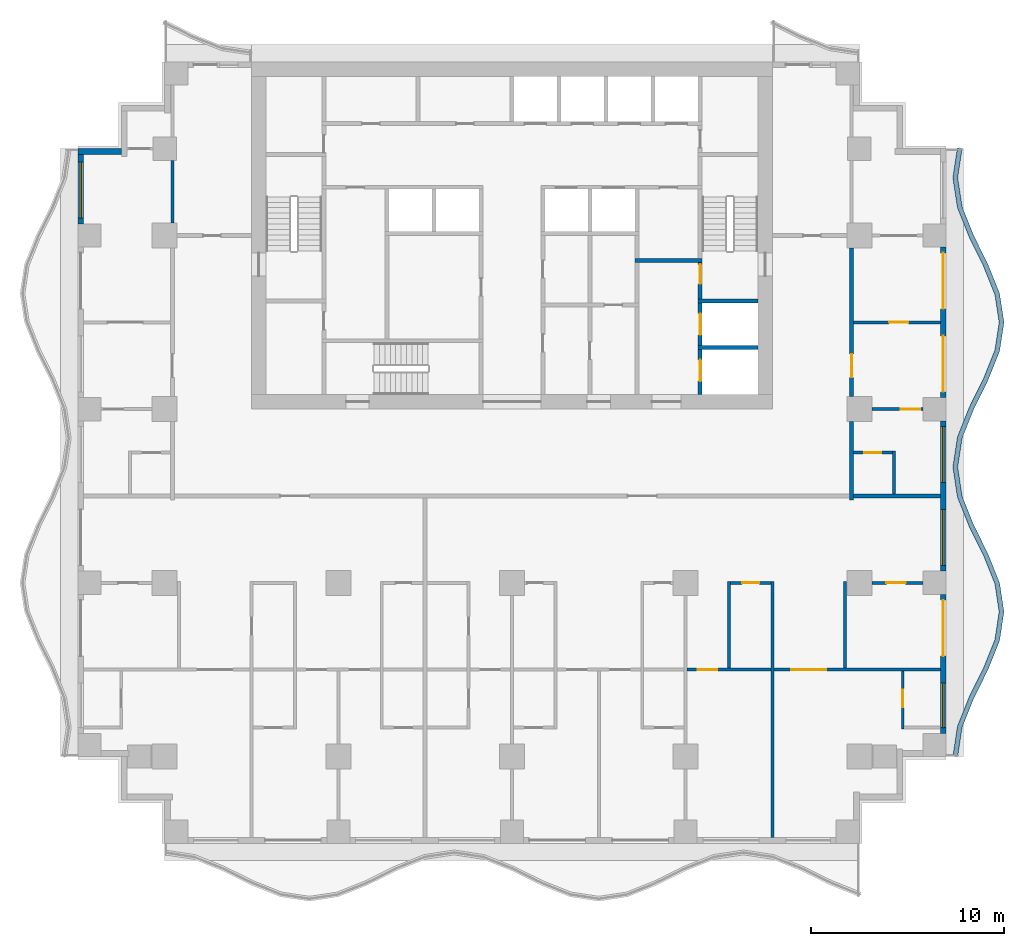
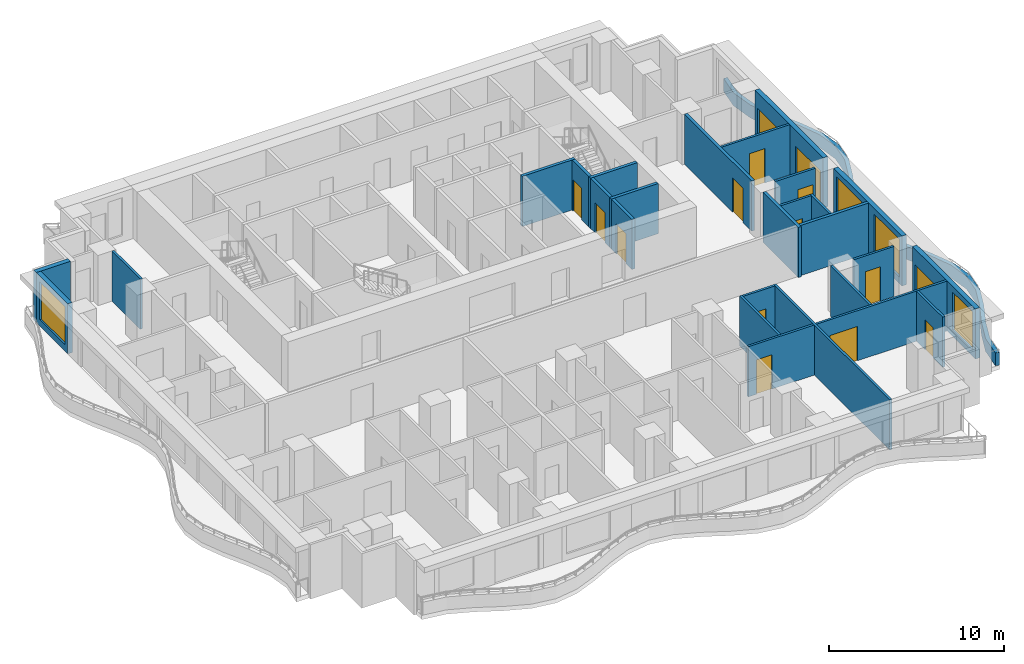
# One storey, part 4 of 10: 28 walls, 15 doors, 4 windows, 19 openings.
"""IFC4 building model written with IfcOpenShell, lengths in metres."""

from ifc_helpers import new_model, si_unit, direction, frame, frame_2d, origin, place, context, subcontext, project, spatial, polyline, rectangle, outline, extrude, material, layer, layer_set, type_object, element, fill, save


model = new_model("IFC4")

# Units and contexts
model_context = context("Model", 3, precision=1e-05, world=origin(), true_north=direction((0.0, 1.0)))
body_context = subcontext(model_context, "Body", "Model", "MODEL_VIEW")
ifc_project = project(units=[si_unit("LENGTHUNIT", "METRE"), si_unit("AREAUNIT", "SQUARE_METRE"), si_unit("VOLUMEUNIT", "CUBIC_METRE"), si_unit("PLANEANGLEUNIT", "RADIAN"), si_unit("MASSUNIT", "GRAM", prefix="KILO")], contexts=[model_context])

# Site, building, storey
site_placement = place(None, origin())
site = spatial("IfcSite", under=ifc_project, at=site_placement, CompositionType="ELEMENT")
building_placement = place(site_placement, origin())
building = spatial("IfcBuilding", under=site, at=building_placement, Name="Orbiselva Terraces", CompositionType="ELEMENT")
storey_placement = place(building_placement, frame((0.0, 0.0, 136.4)))
storey = spatial("IfcBuildingStorey", under=building, at=storey_placement, Name="L34", CompositionType="ELEMENT", Elevation=136.4)

# Wall
ifc_material_1 = material(Name="Concrete C60/75", Category="concrete")
ifc_layer_1 = layer(ifc_material_1, 0.2)
ifc_layer_set_1 = layer_set([ifc_layer_1], Name="Concrete C60/75")
wall_type_1 = type_object("IfcWallType", Name="CORE-WALL-SHEAR-200", PredefinedType="SHEAR", material=ifc_layer_set_1)
wall_1_placement = place(storey_placement, frame((6.375, 12.2, 0.0), z_axis=(0.0, 0.0, 1.0), x_axis=(1.0, 0.0, 0.0)))
element("IfcWall", 1, at=wall_1_placement, inside=storey, type_object=wall_type_1, Name="L34 core wall 34", PredefinedType="SHEAR", context=body_context, shape_type="SweptSolid", body=[
    extrude(rectangle(XDim=3.475, YDim=0.2, at=frame_2d((1.7375, 0.0))), origin(), (0.0, 0.0, 1.0), 3.5),
])

# Wall, opening, door
wall_2_placement = place(storey_placement, frame((9.75, 5.25, 0.0), z_axis=(0.0, 0.0, 1.0), x_axis=(0.0, 1.0, 0.0)))
wall_2 = element("IfcWall", 2, at=wall_2_placement, inside=storey, type_object=wall_type_1, Name="L34 core wall 38", PredefinedType="SHEAR", context=body_context, shape_type="SweptSolid", body=[
    extrude(rectangle(XDim=2.35, YDim=0.2, at=frame_2d((1.175, 0.0))), origin(), (0.0, 0.0, 1.0), 3.5),
])
opening_1_placement = place(wall_2_placement, frame((0.7, 0.0, 0.0)))
opening_1 = element("IfcOpeningElement", 3, at=opening_1_placement, cuts=wall_2, Name="Opening LD-FF1", PredefinedType="OPENING", context=body_context, shape_type="SweptSolid", body=[
    extrude(rectangle(XDim=1.1, YDim=2.1, at=frame_2d((0.55, 1.05))), frame((0.0, 0.11, 0.0), z_axis=(0.0, -1.0, 0.0), x_axis=(1.0, 0.0, 0.0)), (0.0, 0.0, 1.0), 0.22),
])
ifc_material_2 = material(Name="Stainless steel landing door", Category="steel")
door_type_1 = type_object("IfcDoorType", Name="LANDING DOOR 1100", OperationType="SLIDING_TO_LEFT", PredefinedType="DOOR", material=ifc_material_2)
door_1_placement = place(opening_1_placement, origin())
door_1 = element("IfcDoor", 4, at=door_1_placement, inside=storey, type_object=door_type_1, Name="L34 landing door FF1", OperationType="SLIDING_TO_RIGHT", OverallHeight=2.1, OverallWidth=1.1, PredefinedType="DOOR", context=body_context, shape_type="SweptSolid", body=[
    extrude(rectangle(XDim=1.1, YDim=2.1, at=frame_2d((0.55, 1.05))), frame((0.0, 0.025, 0.0), z_axis=(0.0, -1.0, 0.0), x_axis=(1.0, 0.0, 0.0)), (0.0, 0.0, 1.0), 0.05),
])
fill(opening_1, door_1)

# Wall
wall_3_placement = place(storey_placement, frame((9.65, 7.7, 0.0), z_axis=(0.0, 0.0, 1.0), x_axis=(1.0, 0.0, 0.0)))
element("IfcWall", 5, at=wall_3_placement, inside=storey, type_object=wall_type_1, Name="L34 core wall 39", PredefinedType="SHEAR", context=body_context, shape_type="SweptSolid", body=[
    extrude(rectangle(XDim=3.1, YDim=0.2, at=frame_2d((1.55, 0.0))), origin(), (0.0, 0.0, 1.0), 3.5),
])

# Wall, opening, door
wall_4_placement = place(storey_placement, frame((9.75, 7.8, 0.0), z_axis=(0.0, 0.0, 1.0), x_axis=(0.0, 1.0, 0.0)))
wall_4 = element("IfcWall", 6, at=wall_4_placement, inside=storey, type_object=wall_type_1, Name="L34 core wall 40", PredefinedType="SHEAR", context=body_context, shape_type="SweptSolid", body=[
    extrude(rectangle(XDim=2.2, YDim=0.2, at=frame_2d((1.1, 0.0))), origin(), (0.0, 0.0, 1.0), 3.5),
])
opening_2_placement = place(wall_4_placement, frame((0.55, 0.0, 0.0)))
opening_2 = element("IfcOpeningElement", 7, at=opening_2_placement, cuts=wall_4, Name="Opening LD-FF2", PredefinedType="OPENING", context=body_context, shape_type="SweptSolid", body=[
    extrude(rectangle(XDim=1.1, YDim=2.1, at=frame_2d((0.55, 1.05))), frame((0.0, 0.11, 0.0), z_axis=(0.0, -1.0, 0.0), x_axis=(1.0, 0.0, 0.0)), (0.0, 0.0, 1.0), 0.22),
])
door_2_placement = place(opening_2_placement, origin())
door_2 = element("IfcDoor", 8, at=door_2_placement, inside=storey, type_object=door_type_1, Name="L34 landing door FF2", OperationType="SLIDING_TO_RIGHT", OverallHeight=2.1, OverallWidth=1.1, PredefinedType="DOOR", context=body_context, shape_type="SweptSolid", body=[
    extrude(rectangle(XDim=1.1, YDim=2.1, at=frame_2d((0.55, 1.05))), frame((0.0, 0.025, 0.0), z_axis=(0.0, -1.0, 0.0), x_axis=(1.0, 0.0, 0.0)), (0.0, 0.0, 1.0), 0.05),
])
fill(opening_2, door_2)

# Wall
wall_5_placement = place(storey_placement, frame((9.65, 10.1, 0.0), z_axis=(0.0, 0.0, 1.0), x_axis=(1.0, 0.0, 0.0)))
element("IfcWall", 9, at=wall_5_placement, inside=storey, type_object=wall_type_1, Name="L34 core wall 41", PredefinedType="SHEAR", context=body_context, shape_type="SweptSolid", body=[
    extrude(rectangle(XDim=3.1, YDim=0.2, at=frame_2d((1.55, 0.0))), origin(), (0.0, 0.0, 1.0), 3.5),
])

# Wall, opening, door
wall_6_placement = place(storey_placement, frame((9.75, 12.1, 0.0), z_axis=(0.0, 0.0, 1.0), x_axis=(0.0, -1.0, 0.0)))
wall_6 = element("IfcWall", 10, at=wall_6_placement, inside=storey, type_object=wall_type_1, Name="L34 core wall 42", PredefinedType="SHEAR", context=body_context, shape_type="SweptSolid", body=[
    extrude(rectangle(XDim=1.9, YDim=0.2, at=frame_2d((0.95, 0.0))), origin(), (0.0, 0.0, 1.0), 3.5),
])
opening_3_placement = place(wall_6_placement, frame((0.1, 0.0, 0.0)))
opening_3 = element("IfcOpeningElement", 11, at=opening_3_placement, cuts=wall_6, Name="Opening DS1000", PredefinedType="OPENING", context=body_context, shape_type="SweptSolid", body=[
    extrude(rectangle(XDim=1.0, YDim=2.2, at=frame_2d((0.5, 1.1))), frame((0.0, 0.11, 0.0), z_axis=(0.0, -1.0, 0.0), x_axis=(1.0, 0.0, 0.0)), (0.0, 0.0, 1.0), 0.22),
])
ifc_material_3 = material(Name="Steel fire door", Category="steel")
door_type_2 = type_object("IfcDoorType", Name="STAIR DOOR 1000", OperationType="NOTDEFINED", PredefinedType="DOOR", material=ifc_material_3)
door_3_placement = place(opening_3_placement, origin())
door_3 = element("IfcDoor", 12, at=door_3_placement, inside=storey, type_object=door_type_2, Name="L34 FIRE-FIGHTING LOBBY TO EXIT STAIR S2 door", OperationType="SINGLE_SWING_LEFT", OverallHeight=2.2, OverallWidth=1.0, PredefinedType="DOOR", context=body_context, shape_type="SweptSolid", body=[
    extrude(rectangle(XDim=1.0, YDim=2.2, at=frame_2d((0.5, 1.1))), frame((0.0, 0.025, 0.0), z_axis=(0.0, -1.0, 0.0), x_axis=(1.0, 0.0, 0.0)), (0.0, 0.0, 1.0), 0.05),
])
fill(opening_3, door_3)

# Wall
ifc_material_4 = material(Name="Concrete C40/50", Category="concrete")
ifc_layer_2 = layer(ifc_material_4, 0.25)
ifc_layer_set_2 = layer_set([ifc_layer_2], Name="Concrete C40/50")
wall_type_2 = type_object("IfcWallType", Name="ENV-PLANTER-250x900", PredefinedType="USERDEFINED", material=ifc_layer_set_2)
wall_7_placement = place(storey_placement, origin())
element("IfcWall", 13, at=wall_7_placement, inside=storey, type_object=wall_type_2, Name="Balcony planter L34 E", ObjectType="PLANTER", PredefinedType="USERDEFINED", context=body_context, shape_type="SweptSolid", body=[
    extrude(outline(polyline([(23.1, -13.5), (23.32918, -12.0), (23.92918, -10.5), (24.67082, -9.0), (25.27082, -7.5), (25.5, -6.0), (25.27082, -4.5), (24.67082, -3.0), (23.92918, -1.5), (23.32918, 0.0), (23.1, 1.5), (23.32918, 3.0), (23.92918, 4.5), (24.67082, 6.0), (25.27082, 7.5), (25.5, 9.0), (25.27082, 10.5), (24.67082, 12.0), (23.92918, 13.5), (23.32918, 15.0), (23.1, 16.5), (23.32918, 18.0), (23.082048, 18.037758), (22.847099, 16.5), (23.086388, 14.933834), (23.700715, 13.398017), (24.442355, 11.898017), (25.028028, 10.433834), (25.247099, 9.0), (25.028028, 7.566166), (24.442355, 6.101983), (23.700715, 4.601983), (23.086388, 3.066166), (22.847099, 1.5), (23.086388, -0.066166), (23.700715, -1.601983), (24.442355, -3.101983), (25.028028, -4.566166), (25.247099, -6.0), (25.028028, -7.433834), (24.442355, -8.898017), (23.700715, -10.398017), (23.086388, -11.933834), (22.852868, -13.462242), (23.1, -13.5)])), origin(), (0.0, 0.0, 1.0), 0.9),
])

# Wall, openings, door, window
ifc_material_5 = material(Name="Terracotta cladding on masonry backing", Category="masonry")
ifc_layer_3 = layer(ifc_material_5, 0.3)
ifc_layer_set_3 = layer_set([ifc_layer_3], Name="Terracotta cladding on masonry backing")
wall_type_3 = type_object("IfcWallType", Name="ENV-WALL-TERRACOTTA-300", PredefinedType="SOLIDWALL", material=ifc_layer_set_3)
wall_8_placement = place(storey_placement, frame((22.35, -5.1, 0.0), z_axis=(0.0, 0.0, 1.0), x_axis=(0.0, -1.0, 0.0)))
wall_8 = element("IfcWall", 14, at=wall_8_placement, inside=storey, type_object=wall_type_3, Name="Facade wall L34 E", PredefinedType="SOLIDWALL", context=body_context, shape_type="SweptSolid", body=[
    extrude(rectangle(XDim=7.2, YDim=0.3, at=frame_2d((3.6, 0.0))), origin(), (0.0, 0.0, 1.0), 3.5),
])
opening_4_placement = place(wall_8_placement, frame((4.6, 0.0, 0.45)))
opening_4 = element("IfcOpeningElement", 15, at=opening_4_placement, cuts=wall_8, Name="Opening WN7", PredefinedType="OPENING", context=body_context, shape_type="SweptSolid", body=[
    extrude(rectangle(XDim=2.3, YDim=2.65, at=frame_2d((1.15, 1.325))), frame((0.0, 0.16, 0.0), z_axis=(0.0, -1.0, 0.0), x_axis=(1.0, 0.0, 0.0)), (0.0, 0.0, 1.0), 0.32),
])
opening_5_placement = place(wall_8_placement, frame((0.3, 0.0, 0.0)))
opening_5 = element("IfcOpeningElement", 16, at=opening_5_placement, cuts=wall_8, Name="Opening Z3-B-E04", PredefinedType="OPENING", context=body_context, shape_type="SweptSolid", body=[
    extrude(rectangle(XDim=2.9, YDim=2.4, at=frame_2d((1.45, 1.2))), frame((0.0, 0.16, 0.0), z_axis=(0.0, -1.0, 0.0), x_axis=(1.0, 0.0, 0.0)), (0.0, 0.0, 1.0), 0.32),
])
ifc_material_6 = material(Name="Clear low-e glazing in aluminium frame", Category="aluminium")
door_type_3 = type_object("IfcDoorType", Name="BALCONY DOOR 2900 X 2400", OperationType="DOUBLE_DOOR_SLIDING", PredefinedType="DOOR", material=ifc_material_6)
door_4_placement = place(opening_5_placement, origin())
door_4 = element("IfcDoor", 17, at=door_4_placement, inside=storey, type_object=door_type_3, Name="Z3-B-E04", OperationType="SINGLE_SWING_LEFT", OverallHeight=2.4, OverallWidth=2.9, PredefinedType="DOOR", context=body_context, shape_type="SweptSolid", body=[
    extrude(rectangle(XDim=2.9, YDim=2.4, at=frame_2d((1.45, 1.2))), frame((0.0, 0.025, 0.0), z_axis=(0.0, -1.0, 0.0), x_axis=(1.0, 0.0, 0.0)), (0.0, 0.0, 1.0), 0.05),
])
fill(opening_5, door_4)
window_type_1 = type_object("IfcWindowType", Name="WINDOW 2300 X 2650 S450", PartitioningType="TRIPLE_PANEL_VERTICAL", PredefinedType="WINDOW", material=ifc_material_6)
window_1_placement = place(opening_4_placement, origin())
window_1 = element("IfcWindow", 18, at=window_1_placement, inside=storey, type_object=window_type_1, Name="Window L34 E", OverallHeight=2.65, OverallWidth=2.3, PartitioningType="SINGLE_PANEL", PredefinedType="WINDOW", context=body_context, shape_type="SweptSolid", body=[
    extrude(rectangle(XDim=2.3, YDim=2.65, at=frame_2d((1.15, 1.325))), frame((0.0, 0.03, 0.0), z_axis=(0.0, -1.0, 0.0), x_axis=(1.0, 0.0, 0.0)), (0.0, 0.0, 1.0), 0.06),
])
fill(opening_4, window_1)

# Wall, openings, windows
wall_9_placement = place(storey_placement, frame((22.35, 3.9, 0.0), z_axis=(0.0, 0.0, 1.0), x_axis=(0.0, -1.0, 0.0)))
wall_9 = element("IfcWall", 19, at=wall_9_placement, inside=storey, type_object=wall_type_3, Name="Facade wall L34 E", PredefinedType="SOLIDWALL", context=body_context, shape_type="SweptSolid", body=[
    extrude(rectangle(XDim=7.8, YDim=0.3, at=frame_2d((3.9, 0.0))), origin(), (0.0, 0.0, 1.0), 3.5),
])
opening_6_placement = place(wall_9_placement, frame((4.6, 0.0, 0.45)))
opening_6 = element("IfcOpeningElement", 20, at=opening_6_placement, cuts=wall_9, Name="Opening WN8", PredefinedType="OPENING", context=body_context, shape_type="SweptSolid", body=[
    extrude(rectangle(XDim=2.9, YDim=2.65, at=frame_2d((1.45, 1.325))), frame((0.0, 0.16, 0.0), z_axis=(0.0, -1.0, 0.0), x_axis=(1.0, 0.0, 0.0)), (0.0, 0.0, 1.0), 0.32),
])
opening_7_placement = place(wall_9_placement, frame((0.3, 0.0, 0.45)))
opening_7 = element("IfcOpeningElement", 21, at=opening_7_placement, cuts=wall_9, Name="Opening WN8", PredefinedType="OPENING", context=body_context, shape_type="SweptSolid", body=[
    extrude(rectangle(XDim=2.9, YDim=2.65, at=frame_2d((1.45, 1.325))), frame((0.0, 0.16, 0.0), z_axis=(0.0, -1.0, 0.0), x_axis=(1.0, 0.0, 0.0)), (0.0, 0.0, 1.0), 0.32),
])
window_type_2 = type_object("IfcWindowType", Name="WINDOW 2900 X 2650 S450", PartitioningType="TRIPLE_PANEL_VERTICAL", PredefinedType="WINDOW", material=ifc_material_6)
window_2_placement = place(opening_6_placement, origin())
window_2 = element("IfcWindow", 22, at=window_2_placement, inside=storey, type_object=window_type_2, Name="Window L34 E", OverallHeight=2.65, OverallWidth=2.9, PartitioningType="SINGLE_PANEL", PredefinedType="WINDOW", context=body_context, shape_type="SweptSolid", body=[
    extrude(rectangle(XDim=2.9, YDim=2.65, at=frame_2d((1.45, 1.325))), frame((0.0, 0.03, 0.0), z_axis=(0.0, -1.0, 0.0), x_axis=(1.0, 0.0, 0.0)), (0.0, 0.0, 1.0), 0.06),
])
fill(opening_6, window_2)
window_3_placement = place(opening_7_placement, origin())
window_3 = element("IfcWindow", 23, at=window_3_placement, inside=storey, type_object=window_type_2, Name="Window L34 E", OverallHeight=2.65, OverallWidth=2.9, PartitioningType="SINGLE_PANEL", PredefinedType="WINDOW", context=body_context, shape_type="SweptSolid", body=[
    extrude(rectangle(XDim=2.9, YDim=2.65, at=frame_2d((1.45, 1.325))), frame((0.0, 0.03, 0.0), z_axis=(0.0, -1.0, 0.0), x_axis=(1.0, 0.0, 0.0)), (0.0, 0.0, 1.0), 0.06),
])
fill(opening_7, window_3)

# Wall, openings, doors
wall_10_placement = place(storey_placement, frame((22.35, 12.9, 0.0), z_axis=(0.0, 0.0, 1.0), x_axis=(0.0, -1.0, 0.0)))
wall_10 = element("IfcWall", 24, at=wall_10_placement, inside=storey, type_object=wall_type_3, Name="Facade wall L34 E", PredefinedType="SOLIDWALL", context=body_context, shape_type="SweptSolid", body=[
    extrude(rectangle(XDim=7.8, YDim=0.3, at=frame_2d((3.9, 0.0))), origin(), (0.0, 0.0, 1.0), 3.5),
])
opening_8_placement = place(wall_10_placement, frame((4.6, 0.0, 0.0)))
opening_8 = element("IfcOpeningElement", 25, at=opening_8_placement, cuts=wall_10, Name="Opening Z3-B-E05", PredefinedType="OPENING", context=body_context, shape_type="SweptSolid", body=[
    extrude(rectangle(XDim=2.9, YDim=2.4, at=frame_2d((1.45, 1.2))), frame((0.0, 0.16, 0.0), z_axis=(0.0, -1.0, 0.0), x_axis=(1.0, 0.0, 0.0)), (0.0, 0.0, 1.0), 0.32),
])
opening_9_placement = place(wall_10_placement, frame((0.3, 0.0, 0.0)))
opening_9 = element("IfcOpeningElement", 26, at=opening_9_placement, cuts=wall_10, Name="Opening Z3-B-E06", PredefinedType="OPENING", context=body_context, shape_type="SweptSolid", body=[
    extrude(rectangle(XDim=2.9, YDim=2.4, at=frame_2d((1.45, 1.2))), frame((0.0, 0.16, 0.0), z_axis=(0.0, -1.0, 0.0), x_axis=(1.0, 0.0, 0.0)), (0.0, 0.0, 1.0), 0.32),
])
door_5_placement = place(opening_8_placement, origin())
door_5 = element("IfcDoor", 27, at=door_5_placement, inside=storey, type_object=door_type_3, Name="Z3-B-E05", OperationType="SINGLE_SWING_LEFT", OverallHeight=2.4, OverallWidth=2.9, PredefinedType="DOOR", context=body_context, shape_type="SweptSolid", body=[
    extrude(rectangle(XDim=2.9, YDim=2.4, at=frame_2d((1.45, 1.2))), frame((0.0, 0.025, 0.0), z_axis=(0.0, -1.0, 0.0), x_axis=(1.0, 0.0, 0.0)), (0.0, 0.0, 1.0), 0.05),
])
fill(opening_8, door_5)
door_6_placement = place(opening_9_placement, origin())
door_6 = element("IfcDoor", 28, at=door_6_placement, inside=storey, type_object=door_type_3, Name="Z3-B-E06", OperationType="SINGLE_SWING_LEFT", OverallHeight=2.4, OverallWidth=2.9, PredefinedType="DOOR", context=body_context, shape_type="SweptSolid", body=[
    extrude(rectangle(XDim=2.9, YDim=2.4, at=frame_2d((1.45, 1.2))), frame((0.0, 0.025, 0.0), z_axis=(0.0, -1.0, 0.0), x_axis=(1.0, 0.0, 0.0)), (0.0, 0.0, 1.0), 0.05),
])
fill(opening_9, door_6)

# Wall
wall_11_placement = place(storey_placement, frame((-22.5, 17.85, 0.0), z_axis=(0.0, 0.0, 1.0), x_axis=(1.0, 0.0, 0.0)))
element("IfcWall", 29, at=wall_11_placement, inside=storey, type_object=wall_type_3, Name="Facade wall L34 STEP", PredefinedType="SOLIDWALL", context=body_context, shape_type="SweptSolid", body=[
    extrude(rectangle(XDim=2.25, YDim=0.3, at=frame_2d((1.125, 0.0))), origin(), (0.0, 0.0, 1.0), 3.5),
])

# Wall, opening, window
wall_12_placement = place(storey_placement, frame((-22.35, 14.1, 0.0), z_axis=(0.0, 0.0, 1.0), x_axis=(0.0, 1.0, 0.0)))
wall_12 = element("IfcWall", 30, at=wall_12_placement, inside=storey, type_object=wall_type_3, Name="Facade wall L34 W", PredefinedType="SOLIDWALL", context=body_context, shape_type="SweptSolid", body=[
    extrude(rectangle(XDim=3.6, YDim=0.3, at=frame_2d((1.8, 0.0))), origin(), (0.0, 0.0, 1.0), 3.5),
])
opening_10_placement = place(wall_12_placement, frame((0.3, 0.0, 0.45)))
opening_10 = element("IfcOpeningElement", 31, at=opening_10_placement, cuts=wall_12, Name="Opening WN8", PredefinedType="OPENING", context=body_context, shape_type="SweptSolid", body=[
    extrude(rectangle(XDim=2.9, YDim=2.65, at=frame_2d((1.45, 1.325))), frame((0.0, 0.16, 0.0), z_axis=(0.0, -1.0, 0.0), x_axis=(1.0, 0.0, 0.0)), (0.0, 0.0, 1.0), 0.32),
])
window_4_placement = place(opening_10_placement, origin())
window_4 = element("IfcWindow", 32, at=window_4_placement, inside=storey, type_object=window_type_2, Name="Window L34 W", OverallHeight=2.65, OverallWidth=2.9, PartitioningType="SINGLE_PANEL", PredefinedType="WINDOW", context=body_context, shape_type="SweptSolid", body=[
    extrude(rectangle(XDim=2.9, YDim=2.65, at=frame_2d((1.45, 1.325))), frame((0.0, 0.03, 0.0), z_axis=(0.0, -1.0, 0.0), x_axis=(1.0, 0.0, 0.0)), (0.0, 0.0, 1.0), 0.06),
])
fill(opening_10, window_4)

# Wall
ifc_material_7 = material(Name="Plasterboard on steel stud partition", Category="steel")
ifc_layer_4 = layer(ifc_material_7, 0.2)
ifc_layer_set_4 = layer_set([ifc_layer_4], Name="Plasterboard on steel stud partition")
wall_type_4 = type_object("IfcWallType", Name="UNIT-ENTRANCE-WALL-200", PredefinedType="PARTITIONING", material=ifc_layer_set_4)
wall_13_placement = place(storey_placement, frame((17.6, -0.2, 0.0), z_axis=(0.0, 0.0, 1.0), x_axis=(0.0, 1.0, 0.0)))
element("IfcWall", 33, at=wall_13_placement, inside=storey, type_object=wall_type_4, Name="PARTITION L34-064", PredefinedType="PARTITIONING", context=body_context, shape_type="SweptSolid", body=[
    extrude(rectangle(XDim=4.05, YDim=0.2, at=frame_2d((2.025, 0.0))), origin(), (0.0, 0.0, 1.0), 3.5),
])

# Wall, opening, door
wall_14_placement = place(storey_placement, frame((17.6, 12.85, 0.0), z_axis=(0.0, 0.0, 1.0), x_axis=(0.0, -1.0, 0.0)))
wall_14 = element("IfcWall", 34, at=wall_14_placement, inside=storey, type_object=wall_type_4, Name="PARTITION L34-065", PredefinedType="PARTITIONING", context=body_context, shape_type="SweptSolid", body=[
    extrude(rectangle(XDim=7.7, YDim=0.2, at=frame_2d((3.85, 0.0))), origin(), (0.0, 0.0, 1.0), 3.5),
])
opening_11_placement = place(wall_14_placement, frame((5.5, 0.0, 0.0)))
opening_11 = element("IfcOpeningElement", 35, at=opening_11_placement, cuts=wall_14, Name="Opening Z3-B-10", PredefinedType="OPENING", context=body_context, shape_type="SweptSolid", body=[
    extrude(rectangle(XDim=1.2, YDim=2.4, at=frame_2d((0.6, 1.2))), frame((0.0, 0.11, 0.0), z_axis=(0.0, -1.0, 0.0), x_axis=(1.0, 0.0, 0.0)), (0.0, 0.0, 1.0), 0.22),
])
ifc_material_8 = material(Name="Painted timber door leaf", Category="wood")
door_type_4 = type_object("IfcDoorType", Name="ENTRANCE DOOR 1200", OperationType="NOTDEFINED", PredefinedType="DOOR", material=ifc_material_8)
door_7_placement = place(opening_11_placement, origin())
door_7 = element("IfcDoor", 36, at=door_7_placement, inside=storey, type_object=door_type_4, Name="Z3-B-10", OperationType="SINGLE_SWING_RIGHT", OverallHeight=2.4, OverallWidth=1.2, PredefinedType="DOOR", context=body_context, shape_type="SweptSolid", body=[
    extrude(rectangle(XDim=1.2, YDim=2.4, at=frame_2d((0.6, 1.2))), frame((0.0, 0.025, 0.0), z_axis=(0.0, -1.0, 0.0), x_axis=(1.0, 0.0, 0.0)), (0.0, 0.0, 1.0), 0.05),
])
fill(opening_11, door_7)

ifc_layer_5 = layer(ifc_material_7, 0.15)
ifc_layer_set_5 = layer_set([ifc_layer_5], Name="Plasterboard on steel stud partition")
wall_type_5 = type_object("IfcWallType", Name="UNIT-PARTITION-150", PredefinedType="PARTITIONING", material=ifc_layer_set_5)
wall_15_placement = place(storey_placement, frame((13.425, -9.0, 0.0), z_axis=(0.0, 0.0, 1.0), x_axis=(-1.0, 0.0, 0.0)))
wall_15 = element("IfcWall", 37, at=wall_15_placement, inside=storey, type_object=wall_type_5, Name="PARTITION L34-017", PredefinedType="PARTITIONING", context=body_context, shape_type="SweptSolid", body=[
    extrude(rectangle(XDim=4.35, YDim=0.15, at=frame_2d((2.175, 0.0))), origin(), (0.0, 0.0, 1.0), 3.5),
])
opening_12_placement = place(wall_15_placement, frame((2.8, 0.0, 0.0)))
opening_12 = element("IfcOpeningElement", 38, at=opening_12_placement, cuts=wall_15, Name="Opening Z3-B-35", PredefinedType="OPENING", context=body_context, shape_type="SweptSolid", body=[
    extrude(rectangle(XDim=1.0, YDim=2.4, at=frame_2d((0.5, 1.2))), frame((0.0, 0.085, 0.0), z_axis=(0.0, -1.0, 0.0), x_axis=(1.0, 0.0, 0.0)), (0.0, 0.0, 1.0), 0.17),
])
door_type_5 = type_object("IfcDoorType", Name="ROOM DOOR 1000", OperationType="NOTDEFINED", PredefinedType="DOOR", material=ifc_material_8)
door_8_placement = place(opening_12_placement, origin())
door_8 = element("IfcDoor", 39, at=door_8_placement, inside=storey, type_object=door_type_5, Name="Z3-B-35", OperationType="SINGLE_SWING_RIGHT", OverallHeight=2.4, OverallWidth=1.0, PredefinedType="DOOR", context=body_context, shape_type="SweptSolid", body=[
    extrude(rectangle(XDim=1.0, YDim=2.4, at=frame_2d((0.5, 1.2))), frame((0.0, 0.025, 0.0), z_axis=(0.0, -1.0, 0.0), x_axis=(1.0, 0.0, 0.0)), (0.0, 0.0, 1.0), 0.05),
])
fill(opening_12, door_8)

wall_16_placement = place(storey_placement, frame((22.2, -9.0, 0.0), z_axis=(0.0, 0.0, 1.0), x_axis=(-1.0, 0.0, 0.0)))
wall_16 = element("IfcWall", 40, at=wall_16_placement, inside=storey, type_object=wall_type_5, Name="PARTITION L34-018", PredefinedType="PARTITIONING", context=body_context, shape_type="SweptSolid", body=[
    extrude(rectangle(XDim=8.625, YDim=0.15, at=frame_2d((4.3125, 0.0))), origin(), (0.0, 0.0, 1.0), 3.5),
])
opening_13_placement = place(wall_16_placement, frame((5.925, 0.0, 0.0)))
opening_13 = element("IfcOpeningElement", 41, at=opening_13_placement, cuts=wall_16, Name="Opening Z3-B-36", PredefinedType="OPENING", context=body_context, shape_type="SweptSolid", body=[
    extrude(rectangle(XDim=1.8, YDim=2.4, at=frame_2d((0.9, 1.2))), frame((0.0, 0.085, 0.0), z_axis=(0.0, -1.0, 0.0), x_axis=(1.0, 0.0, 0.0)), (0.0, 0.0, 1.0), 0.17),
])
door_type_6 = type_object("IfcDoorType", Name="DOUBLE DOOR 1800", OperationType="NOTDEFINED", PredefinedType="DOOR", material=ifc_material_8)
door_9_placement = place(opening_13_placement, origin())
door_9 = element("IfcDoor", 42, at=door_9_placement, inside=storey, type_object=door_type_6, Name="Z3-B-36", OperationType="DOUBLE_DOOR_SINGLE_SWING", OverallHeight=2.4, OverallWidth=1.8, PredefinedType="DOOR", context=body_context, shape_type="SweptSolid", body=[
    extrude(rectangle(XDim=1.8, YDim=2.4, at=frame_2d((0.9, 1.2))), frame((0.0, 0.025, 0.0), z_axis=(0.0, -1.0, 0.0), x_axis=(1.0, 0.0, 0.0)), (0.0, 0.0, 1.0), 0.05),
])
fill(opening_13, door_9)

wall_17_placement = place(storey_placement, frame((13.425, -4.5, 0.0), z_axis=(0.0, 0.0, 1.0), x_axis=(-1.0, 0.0, 0.0)))
wall_17 = element("IfcWall", 43, at=wall_17_placement, inside=storey, type_object=wall_type_5, Name="PARTITION L34-025", PredefinedType="PARTITIONING", context=body_context, shape_type="SweptSolid", body=[
    extrude(rectangle(XDim=2.1, YDim=0.15, at=frame_2d((1.05, 0.0))), origin(), (0.0, 0.0, 1.0), 3.5),
])
opening_14_placement = place(wall_17_placement, frame((0.6, 0.0, 0.0)))
opening_14 = element("IfcOpeningElement", 44, at=opening_14_placement, cuts=wall_17, Name="Opening Z3-B-27", PredefinedType="OPENING", context=body_context, shape_type="SweptSolid", body=[
    extrude(rectangle(XDim=0.9, YDim=2.1, at=frame_2d((0.45, 1.05))), frame((0.0, 0.085, 0.0), z_axis=(0.0, -1.0, 0.0), x_axis=(1.0, 0.0, 0.0)), (0.0, 0.0, 1.0), 0.17),
])
door_type_7 = type_object("IfcDoorType", Name="SERVICE DOOR 900", OperationType="NOTDEFINED", PredefinedType="DOOR", material=ifc_material_8)
door_10_placement = place(opening_14_placement, origin())
door_10 = element("IfcDoor", 45, at=door_10_placement, inside=storey, type_object=door_type_7, Name="Z3-B-27", OperationType="SINGLE_SWING_RIGHT", OverallHeight=2.1, OverallWidth=0.9, PredefinedType="DOOR", context=body_context, shape_type="SweptSolid", body=[
    extrude(rectangle(XDim=0.9, YDim=2.1, at=frame_2d((0.45, 1.05))), frame((0.0, 0.025, 0.0), z_axis=(0.0, -1.0, 0.0), x_axis=(1.0, 0.0, 0.0)), (0.0, 0.0, 1.0), 0.05),
])
fill(opening_14, door_10)

wall_18_placement = place(storey_placement, frame((21.3, -4.5, 0.0), z_axis=(0.0, 0.0, 1.0), x_axis=(-1.0, 0.0, 0.0)))
wall_18 = element("IfcWall", 46, at=wall_18_placement, inside=storey, type_object=wall_type_5, Name="PARTITION L34-026", PredefinedType="PARTITIONING", context=body_context, shape_type="SweptSolid", body=[
    extrude(rectangle(XDim=2.65, YDim=0.15, at=frame_2d((1.325, 0.0))), origin(), (0.0, 0.0, 1.0), 3.5),
])
opening_15_placement = place(wall_18_placement, frame((0.9, 0.0, 0.0)))
opening_15 = element("IfcOpeningElement", 47, at=opening_15_placement, cuts=wall_18, Name="Opening Z3-B-28", PredefinedType="OPENING", context=body_context, shape_type="SweptSolid", body=[
    extrude(rectangle(XDim=1.0, YDim=2.4, at=frame_2d((0.5, 1.2))), frame((0.0, 0.085, 0.0), z_axis=(0.0, -1.0, 0.0), x_axis=(1.0, 0.0, 0.0)), (0.0, 0.0, 1.0), 0.17),
])
door_11_placement = place(opening_15_placement, origin())
door_11 = element("IfcDoor", 48, at=door_11_placement, inside=storey, type_object=door_type_5, Name="Z3-B-28", OperationType="SINGLE_SWING_RIGHT", OverallHeight=2.4, OverallWidth=1.0, PredefinedType="DOOR", context=body_context, shape_type="SweptSolid", body=[
    extrude(rectangle(XDim=1.0, YDim=2.4, at=frame_2d((0.5, 1.2))), frame((0.0, 0.025, 0.0), z_axis=(0.0, -1.0, 0.0), x_axis=(1.0, 0.0, 0.0)), (0.0, 0.0, 1.0), 0.05),
])
fill(opening_15, door_11)

wall_19_placement = place(storey_placement, frame((19.73, 2.25, 0.0), z_axis=(0.0, 0.0, 1.0), x_axis=(-1.0, 0.0, 0.0)))
wall_19 = element("IfcWall", 49, at=wall_19_placement, inside=storey, type_object=wall_type_5, Name="PARTITION L34-031", PredefinedType="PARTITIONING", context=body_context, shape_type="SweptSolid", body=[
    extrude(rectangle(XDim=2.03, YDim=0.15, at=frame_2d((1.015, 0.0))), origin(), (0.0, 0.0, 1.0), 3.5),
])
opening_16_placement = place(wall_19_placement, frame((0.58, 0.0, 0.0)))
opening_16 = element("IfcOpeningElement", 50, at=opening_16_placement, cuts=wall_19, Name="Opening Z3-B-09", PredefinedType="OPENING", context=body_context, shape_type="SweptSolid", body=[
    extrude(rectangle(XDim=0.9, YDim=2.1, at=frame_2d((0.45, 1.05))), frame((0.0, 0.085, 0.0), z_axis=(0.0, -1.0, 0.0), x_axis=(1.0, 0.0, 0.0)), (0.0, 0.0, 1.0), 0.17),
])
door_type_8 = type_object("IfcDoorType", Name="BATH DOOR 900", OperationType="NOTDEFINED", PredefinedType="DOOR", material=ifc_material_8)
door_12_placement = place(opening_16_placement, origin())
door_12 = element("IfcDoor", 51, at=door_12_placement, inside=storey, type_object=door_type_8, Name="Z3-B-09", OperationType="SINGLE_SWING_RIGHT", OverallHeight=2.1, OverallWidth=0.9, PredefinedType="DOOR", context=body_context, shape_type="SweptSolid", body=[
    extrude(rectangle(XDim=0.9, YDim=2.1, at=frame_2d((0.45, 1.05))), frame((0.0, 0.025, 0.0), z_axis=(0.0, -1.0, 0.0), x_axis=(1.0, 0.0, 0.0)), (0.0, 0.0, 1.0), 0.05),
])
fill(opening_16, door_12)

wall_20_placement = place(storey_placement, frame((21.3, 4.5, 0.0), z_axis=(0.0, 0.0, 1.0), x_axis=(-1.0, 0.0, 0.0)))
wall_20 = element("IfcWall", 52, at=wall_20_placement, inside=storey, type_object=wall_type_5, Name="PARTITION L34-033", PredefinedType="PARTITIONING", context=body_context, shape_type="SweptSolid", body=[
    extrude(rectangle(XDim=2.65, YDim=0.15, at=frame_2d((1.325, 0.0))), origin(), (0.0, 0.0, 1.0), 3.5),
])
opening_17_placement = place(wall_20_placement, frame((0.15, 0.0, 0.0)))
opening_17 = element("IfcOpeningElement", 53, at=opening_17_placement, cuts=wall_20, Name="Opening Z3-B-08", PredefinedType="OPENING", context=body_context, shape_type="SweptSolid", body=[
    extrude(rectangle(XDim=1.0, YDim=2.4, at=frame_2d((0.5, 1.2))), frame((0.0, 0.085, 0.0), z_axis=(0.0, -1.0, 0.0), x_axis=(1.0, 0.0, 0.0)), (0.0, 0.0, 1.0), 0.17),
])
door_13_placement = place(opening_17_placement, origin())
door_13 = element("IfcDoor", 54, at=door_13_placement, inside=storey, type_object=door_type_5, Name="Z3-B-08", OperationType="SINGLE_SWING_LEFT", OverallHeight=2.4, OverallWidth=1.0, PredefinedType="DOOR", context=body_context, shape_type="SweptSolid", body=[
    extrude(rectangle(XDim=1.0, YDim=2.4, at=frame_2d((0.5, 1.2))), frame((0.0, 0.025, 0.0), z_axis=(0.0, -1.0, 0.0), x_axis=(1.0, 0.0, 0.0)), (0.0, 0.0, 1.0), 0.05),
])
fill(opening_17, door_13)

wall_21_placement = place(storey_placement, frame((17.7, 9.0, 0.0), z_axis=(0.0, 0.0, 1.0), x_axis=(1.0, 0.0, 0.0)))
wall_21 = element("IfcWall", 55, at=wall_21_placement, inside=storey, type_object=wall_type_5, Name="PARTITION L34-035", PredefinedType="PARTITIONING", context=body_context, shape_type="SweptSolid", body=[
    extrude(rectangle(XDim=4.5, YDim=0.15, at=frame_2d((2.25, 0.0))), origin(), (0.0, 0.0, 1.0), 3.5),
])
opening_18_placement = place(wall_21_placement, frame((1.85, 0.0, 0.0)))
opening_18 = element("IfcOpeningElement", 56, at=opening_18_placement, cuts=wall_21, Name="Opening Z3-B-11", PredefinedType="OPENING", context=body_context, shape_type="SweptSolid", body=[
    extrude(rectangle(XDim=1.0, YDim=2.4, at=frame_2d((0.5, 1.2))), frame((0.0, 0.085, 0.0), z_axis=(0.0, -1.0, 0.0), x_axis=(1.0, 0.0, 0.0)), (0.0, 0.0, 1.0), 0.17),
])
door_14_placement = place(opening_18_placement, origin())
door_14 = element("IfcDoor", 57, at=door_14_placement, inside=storey, type_object=door_type_5, Name="Z3-B-11", OperationType="SINGLE_SWING_RIGHT", OverallHeight=2.4, OverallWidth=1.0, PredefinedType="DOOR", context=body_context, shape_type="SweptSolid", body=[
    extrude(rectangle(XDim=1.0, YDim=2.4, at=frame_2d((0.5, 1.2))), frame((0.0, 0.025, 0.0), z_axis=(0.0, -1.0, 0.0), x_axis=(1.0, 0.0, 0.0)), (0.0, 0.0, 1.0), 0.05),
])
fill(opening_18, door_14)

# Walls
wall_22_placement = place(storey_placement, frame((-17.6, 14.15, 0.0), z_axis=(0.0, 0.0, 1.0), x_axis=(0.0, 1.0, 0.0)))
element("IfcWall", 58, at=wall_22_placement, inside=storey, type_object=wall_type_5, Name="PARTITION L34-044", PredefinedType="PARTITIONING", context=body_context, shape_type="SweptSolid", body=[
    extrude(rectangle(XDim=3.25, YDim=0.15, at=frame_2d((1.625, 0.0))), origin(), (0.0, 0.0, 1.0), 3.5),
])
wall_23_placement = place(storey_placement, frame((11.25, -8.925, 0.0), z_axis=(0.0, 0.0, 1.0), x_axis=(0.0, 1.0, 0.0)))
element("IfcWall", 59, at=wall_23_placement, inside=storey, type_object=wall_type_5, Name="PARTITION L34-061", PredefinedType="PARTITIONING", context=body_context, shape_type="SweptSolid", body=[
    extrude(rectangle(XDim=4.5, YDim=0.15, at=frame_2d((2.25, 0.0))), origin(), (0.0, 0.0, 1.0), 3.5),
])
wall_24_placement = place(storey_placement, frame((13.5, -17.7, 0.0), z_axis=(0.0, 0.0, 1.0), x_axis=(0.0, 1.0, 0.0)))
element("IfcWall", 60, at=wall_24_placement, inside=storey, type_object=wall_type_5, Name="PARTITION L34-062", PredefinedType="PARTITIONING", context=body_context, shape_type="SweptSolid", body=[
    extrude(rectangle(XDim=13.275, YDim=0.15, at=frame_2d((6.6375, 0.0))), origin(), (0.0, 0.0, 1.0), 3.5),
])
wall_25_placement = place(storey_placement, frame((17.25, -8.925, 0.0), z_axis=(0.0, 0.0, 1.0), x_axis=(0.0, 1.0, 0.0)))
element("IfcWall", 61, at=wall_25_placement, inside=storey, type_object=wall_type_5, Name="PARTITION L34-063", PredefinedType="PARTITIONING", context=body_context, shape_type="SweptSolid", body=[
    extrude(rectangle(XDim=4.5, YDim=0.15, at=frame_2d((2.25, 0.0))), origin(), (0.0, 0.0, 1.0), 3.5),
])
wall_26_placement = place(storey_placement, frame((19.805, 0.1, 0.0), z_axis=(0.0, 0.0, 1.0), x_axis=(0.0, 1.0, 0.0)))
element("IfcWall", 62, at=wall_26_placement, inside=storey, type_object=wall_type_5, Name="PARTITION L34-068", PredefinedType="PARTITIONING", context=body_context, shape_type="SweptSolid", body=[
    extrude(rectangle(XDim=2.225, YDim=0.15, at=frame_2d((1.1125, 0.0))), origin(), (0.0, 0.0, 1.0), 3.5),
])

# Wall, opening, door
wall_27_placement = place(storey_placement, frame((20.25, -9.075, 0.0), z_axis=(0.0, 0.0, 1.0), x_axis=(0.0, -1.0, 0.0)))
wall_27 = element("IfcWall", 63, at=wall_27_placement, inside=storey, type_object=wall_type_5, Name="PARTITION L34-069", PredefinedType="PARTITIONING", context=body_context, shape_type="SweptSolid", body=[
    extrude(rectangle(XDim=3.0, YDim=0.15, at=frame_2d((1.5, 0.0))), origin(), (0.0, 0.0, 1.0), 3.5),
])
opening_19_placement = place(wall_27_placement, frame((0.975, 0.0, 0.0)))
opening_19 = element("IfcOpeningElement", 64, at=opening_19_placement, cuts=wall_27, Name="Opening Z3-B-37", PredefinedType="OPENING", context=body_context, shape_type="SweptSolid", body=[
    extrude(rectangle(XDim=0.9, YDim=2.1, at=frame_2d((0.45, 1.05))), frame((0.0, 0.085, 0.0), z_axis=(0.0, -1.0, 0.0), x_axis=(1.0, 0.0, 0.0)), (0.0, 0.0, 1.0), 0.17),
])
door_15_placement = place(opening_19_placement, origin())
door_15 = element("IfcDoor", 65, at=door_15_placement, inside=storey, type_object=door_type_8, Name="Z3-B-37", OperationType="SINGLE_SWING_LEFT", OverallHeight=2.1, OverallWidth=0.9, PredefinedType="DOOR", context=body_context, shape_type="SweptSolid", body=[
    extrude(rectangle(XDim=0.9, YDim=2.1, at=frame_2d((0.45, 1.05))), frame((0.0, 0.025, 0.0), z_axis=(0.0, -1.0, 0.0), x_axis=(1.0, 0.0, 0.0)), (0.0, 0.0, 1.0), 0.05),
])
fill(opening_19, door_15)

# Wall
ifc_layer_6 = layer(ifc_material_7, 0.2)
ifc_layer_set_6 = layer_set([ifc_layer_6], Name="Plasterboard on steel stud partition")
wall_type_6 = type_object("IfcWallType", Name="UNIT-PARTY-WALL-200", PredefinedType="PARTITIONING", material=ifc_layer_set_6)
wall_28_placement = place(storey_placement, frame((17.7, 0.0, 0.0), z_axis=(0.0, 0.0, 1.0), x_axis=(1.0, 0.0, 0.0)))
element("IfcWall", 66, at=wall_28_placement, inside=storey, type_object=wall_type_6, Name="PARTITION L34-029", PredefinedType="PARTITIONING", context=body_context, shape_type="SweptSolid", body=[
    extrude(rectangle(XDim=4.5, YDim=0.2, at=frame_2d((2.25, 0.0))), origin(), (0.0, 0.0, 1.0), 3.5),
])

save(model, "model.ifc")
